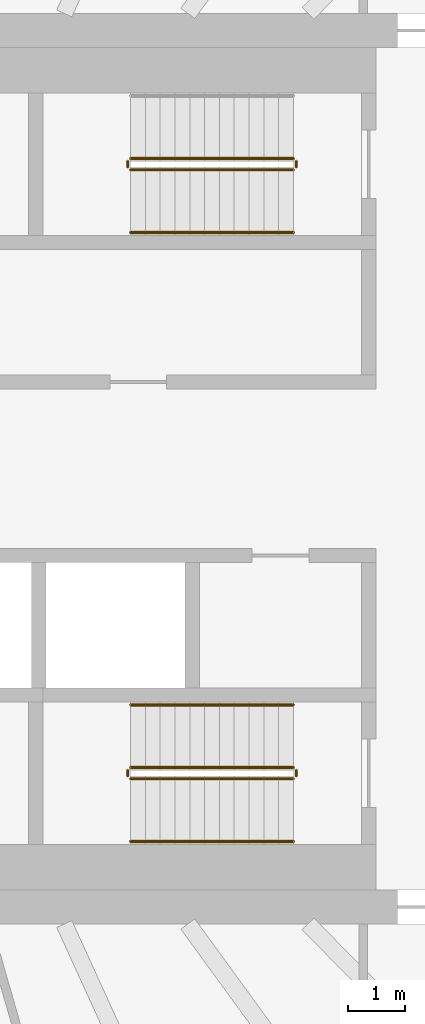
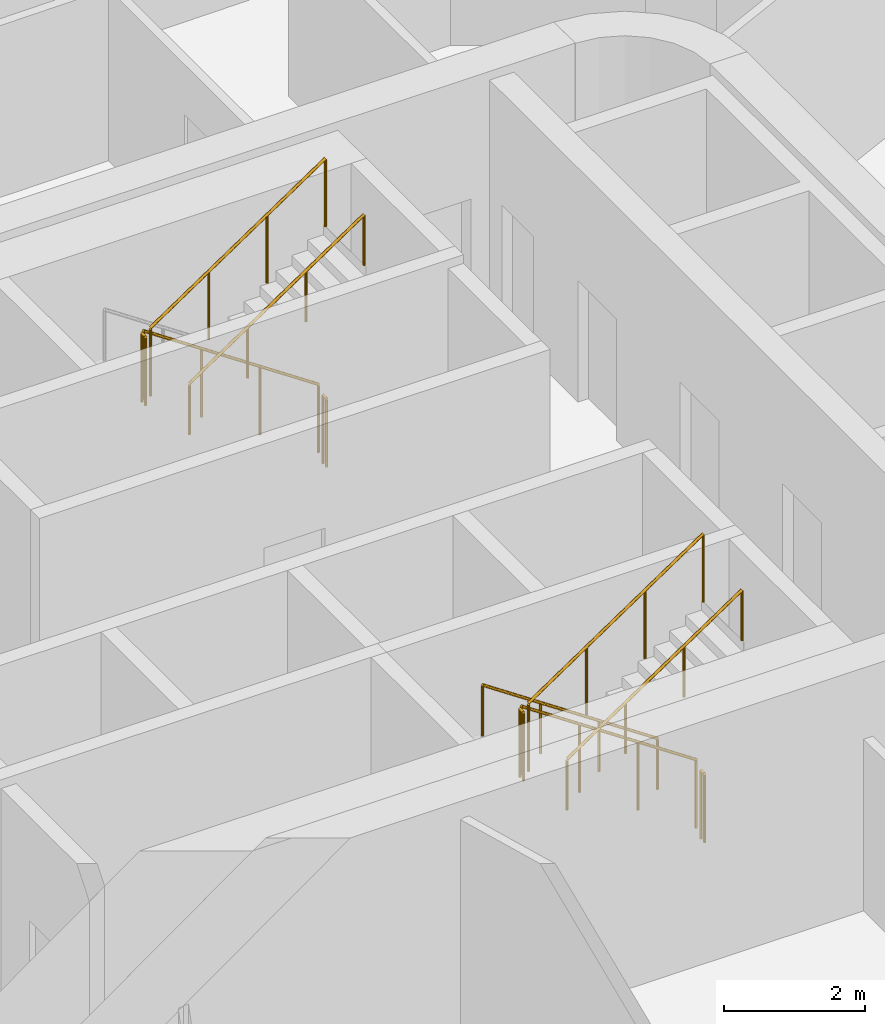
# One storey, part 24 of 26: 11 railings.
"""IFC4 building model written with IfcOpenShell, lengths in metres."""

import ifcopenshell
import ifcopenshell.guid

model = None  # the IFC model being written
_history = None  # IfcOwnerHistory: only IFC2X3 demands one
_inside = {}  # id of a spatial element -> (the spatial element, [elements in it])
_under = {}  # id of a project, library or spatial element -> (it, [spatial elements below it])
_declared = {}  # id of a project -> (the project, [libraries it declares])
_typed = {}  # id of a type object -> (the type object, [elements of that type])
_made_of = {}  # id of a material, layer set ... -> (it, [elements and type objects made of it])


def new_model(schema):
    """Start an empty IFC model of exactly this schema.

    Asked for "IFC4X3", IfcOpenShell would pick the latest addendum, in which some entities
    have other attributes; the version numbers below select the first issue.
    IFC2X3 requires an IfcOwnerHistory on every rooted entity: one is made here for all.
    """
    global model, _history
    if schema == "IFC4X3":
        model = ifcopenshell.file(schema_version=(4, 3, 0, 0))
    else:
        model = ifcopenshell.file(schema=schema)
    _inside.clear()
    _under.clear()
    _declared.clear()
    _typed.clear()
    _made_of.clear()
    _history = None
    if model.schema == "IFC2X3":
        org = make("IfcOrganization", Name="unknown")
        user = make(
            "IfcPersonAndOrganization",
            ThePerson=make("IfcPerson", FamilyName="unknown"),
            TheOrganization=org,
        )
        app = make(
            "IfcApplication",
            ApplicationDeveloper=org,
            Version="unknown",
            ApplicationFullName="unknown",
            ApplicationIdentifier="unknown",
        )
        _history = make(
            "IfcOwnerHistory",
            OwningUser=user,
            OwningApplication=app,
            ChangeAction="ADDED",
            CreationDate=0,
        )
    return model


def make(cls, **values):
    """One entity of the class cls with the attributes given. An attribute that is None is left unset."""
    return model.create_entity(
        cls, **{name: value for name, value in values.items() if value is not None}
    )


def rooted(cls, **values):
    """An entity with a GlobalId (a new one), such as an element, a storey or a relation."""
    return make(cls, GlobalId=ifcopenshell.guid.new(), OwnerHistory=_history, **values)


def si_unit(unit_type, name, prefix=None):
    """IfcSIUnit, for example si_unit("LENGTHUNIT", "METRE", prefix="MILLI")."""
    return make("IfcSIUnit", UnitType=unit_type, Prefix=prefix, Name=name)


def assignment(units):
    """IfcUnitAssignment: the units of a project."""
    return None if units is None else make("IfcUnitAssignment", Units=units)


def point(xyz):
    """IfcCartesianPoint."""
    return None if xyz is None else make("IfcCartesianPoint", Coordinates=xyz)


def direction(xyz):
    """IfcDirection."""
    return None if xyz is None else make("IfcDirection", DirectionRatios=xyz)


def frame(location, z_axis=None, x_axis=None):
    """IfcAxis2Placement3D, a coordinate frame: its origin and axes. An axis left out is left unset."""
    return make(
        "IfcAxis2Placement3D",
        Location=point(location),
        Axis=direction(z_axis),
        RefDirection=direction(x_axis),
    )


def frame_2d(location, x_axis=None):
    """IfcAxis2Placement2D, a coordinate frame in the plane: its origin and x axis."""
    return make(
        "IfcAxis2Placement2D", Location=point(location), RefDirection=direction(x_axis)
    )


def origin():
    """The frame at (0, 0, 0) with its axes left unset."""
    return frame((0.0, 0.0, 0.0))


def origin_2d():
    """The frame at (0, 0) in the plane with its x axis left unset."""
    return frame_2d((0.0, 0.0))


def place(relative_to, where):
    """IfcLocalPlacement: puts the frame where relative to a parent placement (None: the world)."""
    return make(
        "IfcLocalPlacement", PlacementRelTo=relative_to, RelativePlacement=where
    )


def context(
    kind, dimensions, precision=None, world=None, true_north=None, identifier=None
):
    """IfcGeometricRepresentationContext, for example the 3D "Model" context."""
    return make(
        "IfcGeometricRepresentationContext",
        ContextIdentifier=identifier,
        ContextType=kind,
        CoordinateSpaceDimension=dimensions,
        Precision=precision,
        WorldCoordinateSystem=world,
        TrueNorth=true_north,
    )


def subcontext(parent, identifier, kind, view, scale=None):
    """IfcGeometricRepresentationSubContext, for example "Body" below "Model"."""
    return make(
        "IfcGeometricRepresentationSubContext",
        ContextIdentifier=identifier,
        ContextType=kind,
        ParentContext=parent,
        TargetScale=scale,
        TargetView=view,
    )


def project(units=None, contexts=None):
    """IfcProject with its units and contexts."""
    return rooted(
        "IfcProject",
        Name="project",
        RepresentationContexts=contexts,
        UnitsInContext=assignment(units),
    )


def spatial(cls, under=None, at=None, **own):
    """A site, building, storey or space (cls), placed at a placement, below another one or the project."""
    s = rooted(cls, ObjectPlacement=at, **own)
    if under is not None:
        _under.setdefault(under.id(), (under, []))[1].append(s)
    return s


def profile(cls, at=None, kind="AREA", **sizes):
    """A parametric profile (cls). Its sizes go by their IFC names, for example OverallWidth=200.0."""
    return make(cls, ProfileType=kind, Position=at, **sizes)


def circle(**sizes):
    """IfcCircleProfileDef."""
    return profile("IfcCircleProfileDef", **sizes)


def extrude(swept, where, along, depth):
    """IfcExtrudedAreaSolid: the profile swept, set in the frame where, extruded along a direction by depth."""
    return make(
        "IfcExtrudedAreaSolid",
        SweptArea=swept,
        Position=where,
        ExtrudedDirection=direction(along),
        Depth=depth,
    )


def shape(context_of_items, identifier, shape_type, items):
    """IfcShapeRepresentation: the items that make up one representation, for example the "Body"."""
    return make(
        "IfcShapeRepresentation",
        ContextOfItems=context_of_items,
        RepresentationIdentifier=identifier,
        RepresentationType=shape_type,
        Items=items,
    )


def material(Name=None, Category=None):
    """IfcMaterial."""
    return make("IfcMaterial", Name=Name, Category=Category)


def made_of(thing, what):
    """Note that an element or type object is made of a material, layer set ...; save() writes the relation."""
    if what is not None:
        _made_of.setdefault(what.id(), (what, []))[1].append(thing)
    return thing


def type_object(cls, material=None, **own):
    """A type object (cls), such as IfcWallType, which elements share."""
    return made_of(rooted(cls, **own), material)


def element(
    cls,
    number,
    at=None,
    inside=None,
    cuts=None,
    type_object=None,
    material=None,
    context=None,
    identifier="Body",
    shape_type=None,
    held_by="IfcProductDefinitionShape",
    body=None,
    shapes=None,
    **own,
):
    """One element of the class cls, such as IfcWall. Its Tag is "e" and its number.

    at: its placement. inside: the storey or other place that contains it. cuts: it is an
    opening in that element (IfcRelVoidsElement). A single representation is given by context,
    identifier, shape_type and body (its items); several are given by shapes. held_by: the class
    of the entity that holds the representations. save() writes the other relations.
    """
    e = rooted(cls, Tag="e%d" % number, ObjectPlacement=at, **own)
    if body is not None:
        shapes = [shape(context, identifier, shape_type, body)]
    if shapes is not None:
        e.Representation = make(held_by, Representations=shapes)
    if inside is not None:
        _inside.setdefault(inside.id(), (inside, []))[1].append(e)
    if cuts is not None:
        rooted(
            "IfcRelVoidsElement", RelatingBuildingElement=cuts, RelatedOpeningElement=e
        )
    if type_object is not None:
        _typed.setdefault(type_object.id(), (type_object, []))[1].append(e)
    return made_of(e, material)


def aggregate(whole, parts):
    """IfcRelAggregates: a whole, such as a stair, and the parts it consists of."""
    return rooted("IfcRelAggregates", RelatingObject=whole, RelatedObjects=parts)


def save(model, path):
    """Write the relations noted so far, then the file.

    IfcRelAggregates (storeys below a building ...), IfcRelContainedInSpatialStructure (elements
    in a storey), IfcRelDefinesByType, IfcRelAssociatesMaterial and IfcRelDeclares: one each for
    every whole, place, type object, material and project.
    """
    for whole, parts in _under.values():
        aggregate(whole, parts)
    for where, things in _inside.values():
        rooted(
            "IfcRelContainedInSpatialStructure",
            RelatedElements=things,
            RelatingStructure=where,
        )
    for kind, things in _typed.values():
        rooted("IfcRelDefinesByType", RelatedObjects=things, RelatingType=kind)
    for what, things in _made_of.values():
        rooted("IfcRelAssociatesMaterial", RelatedObjects=things, RelatingMaterial=what)
    for by, libraries in _declared.values():
        rooted("IfcRelDeclares", RelatingContext=by, RelatedDefinitions=libraries)
    model.write(path)


model = new_model("IFC4")

# Units and contexts
model_context = context("Model", 3, precision=1e-05, world=origin(), true_north=direction((0.0, 1.0)))
body_context = subcontext(model_context, "Body", "Model", "MODEL_VIEW")
ifc_project = project(units=[si_unit("LENGTHUNIT", "METRE"), si_unit("AREAUNIT", "SQUARE_METRE"), si_unit("VOLUMEUNIT", "CUBIC_METRE"), si_unit("PLANEANGLEUNIT", "RADIAN"), si_unit("MASSUNIT", "GRAM", prefix="KILO")], contexts=[model_context])

# Site, building, storey
site_placement = place(None, origin())
site = spatial("IfcSite", under=ifc_project, at=site_placement, CompositionType="ELEMENT")
building_placement = place(site_placement, origin())
building = spatial("IfcBuilding", under=site, at=building_placement, Name="Sahrelin Media Tower", CompositionType="ELEMENT")
storey_placement = place(building_placement, frame((0.0, 0.0, 88.199951171875)))
storey = spatial("IfcBuildingStorey", under=building, at=storey_placement, Name="L16", CompositionType="ELEMENT", Elevation=88.199951171875)

# Railings
ifc_material = material(Name="Steel S355", Category="steel")
railing_type_1 = type_object("IfcRailingType", Name="Stair guard 1200", PredefinedType="GUARDRAIL", material=ifc_material)
railing_1_placement = place(storey_placement, frame((7.675048828125, 5.449951171875, 0.175048828125)))
element("IfcRailing", 1, at=railing_1_placement, inside=storey, type_object=railing_type_1, Name="L16 ST3 stair guard 1", PredefinedType="GUARDRAIL", context=body_context, shape_type="SweptSolid", body=[
    extrude(circle(Radius=0.02392578125, at=origin_2d()), frame((0.0, 0.0, 1.17578125), z_axis=(-0.829590901723, 0.0, 0.558371682465), x_axis=(0.0, -1.0, 0.0)), (0.0, 0.0, 1.0), 3.447509765625),
    extrude(circle(Radius=0.02099609375, at=origin_2d()), origin(), (0.0, 0.0, 1.0), 1.15185546875),
    extrude(circle(Radius=0.02099609375, at=origin_2d()), frame((-0.953369140625, 0.0, 0.6416015625)), (0.0, 0.0, 1.0), 1.15185546875),
    extrude(circle(Radius=0.02099609375, at=origin_2d()), frame((-1.90673828125, 0.0, 1.283447265625)), (0.0, 0.0, 1.0), 1.15185546875),
    extrude(circle(Radius=0.02099609375, at=origin_2d()), frame((-2.860107421875, 0.0, 1.925048828125)), (0.0, 0.0, 1.0), 1.15185546875),
])
railing_2_placement = place(storey_placement, frame((4.764892578125, 5.39990234375, 2.10009765625)))
element("IfcRailing", 2, at=railing_2_placement, inside=storey, type_object=railing_type_1, Name="L16 ST3 stair guard 2", PredefinedType="GUARDRAIL", context=body_context, shape_type="SweptSolid", body=[
    extrude(circle(Radius=0.02392578125, at=origin_2d()), frame((0.0, 0.0, 1.17578125), z_axis=(0.0, -1.0, 0.0), x_axis=(1.0, 0.0, 0.0)), (0.0, 0.0, 1.0), 0.099853515625),
    extrude(circle(Radius=0.02099609375, at=origin_2d()), origin(), (0.0, 0.0, 1.0), 1.15185546875),
    extrude(circle(Radius=0.02099609375, at=origin_2d()), frame((0.0, -0.099853515625, 0.0)), (0.0, 0.0, 1.0), 1.15185546875),
])
railing_3_placement = place(storey_placement, frame((4.81494140625, 5.25, 2.275146484375)))
element("IfcRailing", 3, at=railing_3_placement, inside=storey, type_object=railing_type_1, Name="L16 ST3 stair guard 3", PredefinedType="GUARDRAIL", context=body_context, shape_type="SweptSolid", body=[
    extrude(circle(Radius=0.02392578125, at=origin_2d()), frame((0.0, 0.0, 1.17578125), z_axis=(0.829623704247, 0.0, 0.558322943601), x_axis=(0.0, 1.0, 0.0)), (0.0, 0.0, 1.0), 3.447509765625),
    extrude(circle(Radius=0.02099609375, at=origin_2d()), origin(), (0.0, 0.0, 1.0), 1.15185546875),
    extrude(circle(Radius=0.02099609375, at=origin_2d()), frame((0.953369140625, 0.0, 0.6416015625)), (0.0, 0.0, 1.0), 1.15185546875),
    extrude(circle(Radius=0.02099609375, at=origin_2d()), frame((1.90673828125, 0.0, 1.283203125)), (0.0, 0.0, 1.0), 1.15185546875),
    extrude(circle(Radius=0.02099609375, at=origin_2d()), frame((2.860107421875, 0.0, 1.9248046875)), (0.0, 0.0, 1.0), 1.15185546875),
])
railing_4_placement = place(storey_placement, frame((7.72509765625, 5.39990234375, 0.0)))
element("IfcRailing", 4, at=railing_4_placement, inside=storey, type_object=railing_type_1, Name="L16 ST3 stair guard 4", PredefinedType="GUARDRAIL", context=body_context, shape_type="SweptSolid", body=[
    extrude(circle(Radius=0.02392578125, at=origin_2d()), frame((0.0, 0.0, 1.17578125), z_axis=(0.0, -1.0, 0.0), x_axis=(1.0, 0.0, 0.0)), (0.0, 0.0, 1.0), 0.099853515625),
    extrude(circle(Radius=0.02099609375, at=origin_2d()), origin(), (0.0, 0.0, 1.0), 1.15185546875),
    extrude(circle(Radius=0.02099609375, at=origin_2d()), frame((0.0, -0.099853515625, 0.0)), (0.0, 0.0, 1.0), 1.15185546875),
])
railing_5_placement = place(storey_placement, frame((7.675048828125, -5.25, 0.175048828125)))
element("IfcRailing", 5, at=railing_5_placement, inside=storey, type_object=railing_type_1, Name="L16 ST2 stair guard 1", PredefinedType="GUARDRAIL", context=body_context, shape_type="SweptSolid", body=[
    extrude(circle(Radius=0.02392578125, at=origin_2d()), frame((0.0, 0.0, 1.17578125), z_axis=(-0.829590901723, 0.0, 0.558371682465), x_axis=(0.0, -1.0, 0.0)), (0.0, 0.0, 1.0), 3.447509765625),
    extrude(circle(Radius=0.02099609375, at=origin_2d()), origin(), (0.0, 0.0, 1.0), 1.15185546875),
    extrude(circle(Radius=0.02099609375, at=origin_2d()), frame((-0.953369140625, 0.0, 0.6416015625)), (0.0, 0.0, 1.0), 1.15185546875),
    extrude(circle(Radius=0.02099609375, at=origin_2d()), frame((-1.90673828125, 0.0, 1.283447265625)), (0.0, 0.0, 1.0), 1.15185546875),
    extrude(circle(Radius=0.02099609375, at=origin_2d()), frame((-2.860107421875, 0.0, 1.925048828125)), (0.0, 0.0, 1.0), 1.15185546875),
])
railing_6_placement = place(storey_placement, frame((4.764892578125, -5.300048828125, 2.10009765625)))
element("IfcRailing", 6, at=railing_6_placement, inside=storey, type_object=railing_type_1, Name="L16 ST2 stair guard 2", PredefinedType="GUARDRAIL", context=body_context, shape_type="SweptSolid", body=[
    extrude(circle(Radius=0.02392578125, at=origin_2d()), frame((0.0, 0.0, 1.17578125), z_axis=(0.0, -1.0, 0.0), x_axis=(1.0, 0.0, 0.0)), (0.0, 0.0, 1.0), 0.099853515625),
    extrude(circle(Radius=0.02099609375, at=origin_2d()), origin(), (0.0, 0.0, 1.0), 1.15185546875),
    extrude(circle(Radius=0.02099609375, at=origin_2d()), frame((0.0, -0.099853515625, 0.0)), (0.0, 0.0, 1.0), 1.15185546875),
])
railing_7_placement = place(storey_placement, frame((4.81494140625, -5.449951171875, 2.275146484375)))
element("IfcRailing", 7, at=railing_7_placement, inside=storey, type_object=railing_type_1, Name="L16 ST2 stair guard 3", PredefinedType="GUARDRAIL", context=body_context, shape_type="SweptSolid", body=[
    extrude(circle(Radius=0.02392578125, at=origin_2d()), frame((0.0, 0.0, 1.17578125), z_axis=(0.829623704247, 0.0, 0.558322943601), x_axis=(0.0, 1.0, 0.0)), (0.0, 0.0, 1.0), 3.447509765625),
    extrude(circle(Radius=0.02099609375, at=origin_2d()), origin(), (0.0, 0.0, 1.0), 1.15185546875),
    extrude(circle(Radius=0.02099609375, at=origin_2d()), frame((0.953369140625, 0.0, 0.6416015625)), (0.0, 0.0, 1.0), 1.15185546875),
    extrude(circle(Radius=0.02099609375, at=origin_2d()), frame((1.90673828125, 0.0, 1.283203125)), (0.0, 0.0, 1.0), 1.15185546875),
    extrude(circle(Radius=0.02099609375, at=origin_2d()), frame((2.860107421875, 0.0, 1.9248046875)), (0.0, 0.0, 1.0), 1.15185546875),
])
railing_8_placement = place(storey_placement, frame((7.72509765625, -5.300048828125, 0.0)))
element("IfcRailing", 8, at=railing_8_placement, inside=storey, type_object=railing_type_1, Name="L16 ST2 stair guard 4", PredefinedType="GUARDRAIL", context=body_context, shape_type="SweptSolid", body=[
    extrude(circle(Radius=0.02392578125, at=origin_2d()), frame((0.0, 0.0, 1.17578125), z_axis=(0.0, -1.0, 0.0), x_axis=(1.0, 0.0, 0.0)), (0.0, 0.0, 1.0), 0.099853515625),
    extrude(circle(Radius=0.02099609375, at=origin_2d()), origin(), (0.0, 0.0, 1.0), 1.15185546875),
    extrude(circle(Radius=0.02099609375, at=origin_2d()), frame((0.0, -0.099853515625, 0.0)), (0.0, 0.0, 1.0), 1.15185546875),
])
railing_type_2 = type_object("IfcRailingType", Name="Stair handrail 900", PredefinedType="HANDRAIL", material=ifc_material)
railing_9_placement = place(storey_placement, frame((4.81494140625, 4.14990234375, 2.275146484375)))
element("IfcRailing", 9, at=railing_9_placement, inside=storey, type_object=railing_type_2, Name="L16 ST3 stair handrail 2", PredefinedType="HANDRAIL", context=body_context, shape_type="SweptSolid", body=[
    extrude(circle(Radius=0.02392578125, at=origin_2d()), frame((0.0, 0.0, 0.8759765625), z_axis=(0.829623704247, 0.0, 0.558322943601), x_axis=(0.0, 1.0, 0.0)), (0.0, 0.0, 1.0), 3.447509765625),
    extrude(circle(Radius=0.02099609375, at=origin_2d()), origin(), (0.0, 0.0, 1.0), 0.851806640625),
    extrude(circle(Radius=0.02099609375, at=origin_2d()), frame((0.953369140625, 0.0, 0.6416015625)), (0.0, 0.0, 1.0), 0.851806640625),
    extrude(circle(Radius=0.02099609375, at=origin_2d()), frame((1.90673828125, 0.0, 1.283203125)), (0.0, 0.0, 1.0), 0.851806640625),
    extrude(circle(Radius=0.02099609375, at=origin_2d()), frame((2.860107421875, 0.0, 1.9248046875)), (0.0, 0.0, 1.0), 0.851806640625),
])
railing_10_placement = place(storey_placement, frame((7.675048828125, -4.14990234375, 0.175048828125)))
element("IfcRailing", 10, at=railing_10_placement, inside=storey, type_object=railing_type_2, Name="L16 ST2 stair handrail 1", PredefinedType="HANDRAIL", context=body_context, shape_type="SweptSolid", body=[
    extrude(circle(Radius=0.02392578125, at=origin_2d()), frame((0.0, 0.0, 0.8759765625), z_axis=(-0.829590901723, 0.0, 0.558371682465), x_axis=(0.0, -1.0, 0.0)), (0.0, 0.0, 1.0), 3.447509765625),
    extrude(circle(Radius=0.02099609375, at=origin_2d()), origin(), (0.0, 0.0, 1.0), 0.851806640625),
    extrude(circle(Radius=0.02099609375, at=origin_2d()), frame((-0.953369140625, 0.0, 0.6416015625)), (0.0, 0.0, 1.0), 0.851806640625),
    extrude(circle(Radius=0.02099609375, at=origin_2d()), frame((-1.90673828125, 0.0, 1.283447265625)), (0.0, 0.0, 1.0), 0.851806640625),
    extrude(circle(Radius=0.02099609375, at=origin_2d()), frame((-2.860107421875, 0.0, 1.925048828125)), (0.0, 0.0, 1.0), 0.851806640625),
])
railing_11_placement = place(storey_placement, frame((4.81494140625, -6.550048828125, 2.275146484375)))
element("IfcRailing", 11, at=railing_11_placement, inside=storey, type_object=railing_type_2, Name="L16 ST2 stair handrail 2", PredefinedType="HANDRAIL", context=body_context, shape_type="SweptSolid", body=[
    extrude(circle(Radius=0.02392578125, at=origin_2d()), frame((0.0, 0.0, 0.8759765625), z_axis=(0.829623704247, 0.0, 0.558322943601), x_axis=(0.0, 1.0, 0.0)), (0.0, 0.0, 1.0), 3.447509765625),
    extrude(circle(Radius=0.02099609375, at=origin_2d()), origin(), (0.0, 0.0, 1.0), 0.851806640625),
    extrude(circle(Radius=0.02099609375, at=origin_2d()), frame((0.953369140625, 0.0, 0.6416015625)), (0.0, 0.0, 1.0), 0.851806640625),
    extrude(circle(Radius=0.02099609375, at=origin_2d()), frame((1.90673828125, 0.0, 1.283203125)), (0.0, 0.0, 1.0), 0.851806640625),
    extrude(circle(Radius=0.02099609375, at=origin_2d()), frame((2.860107421875, 0.0, 1.9248046875)), (0.0, 0.0, 1.0), 0.851806640625),
])

save(model, "model.ifc")
